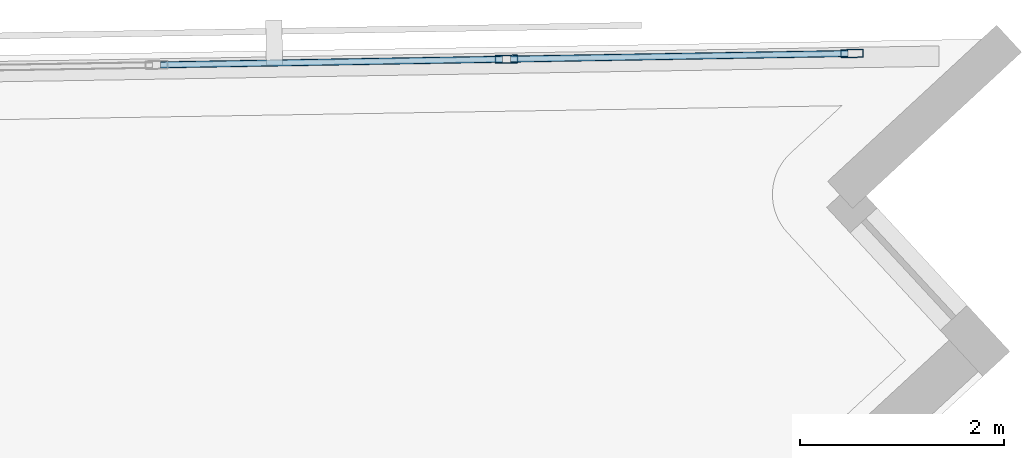
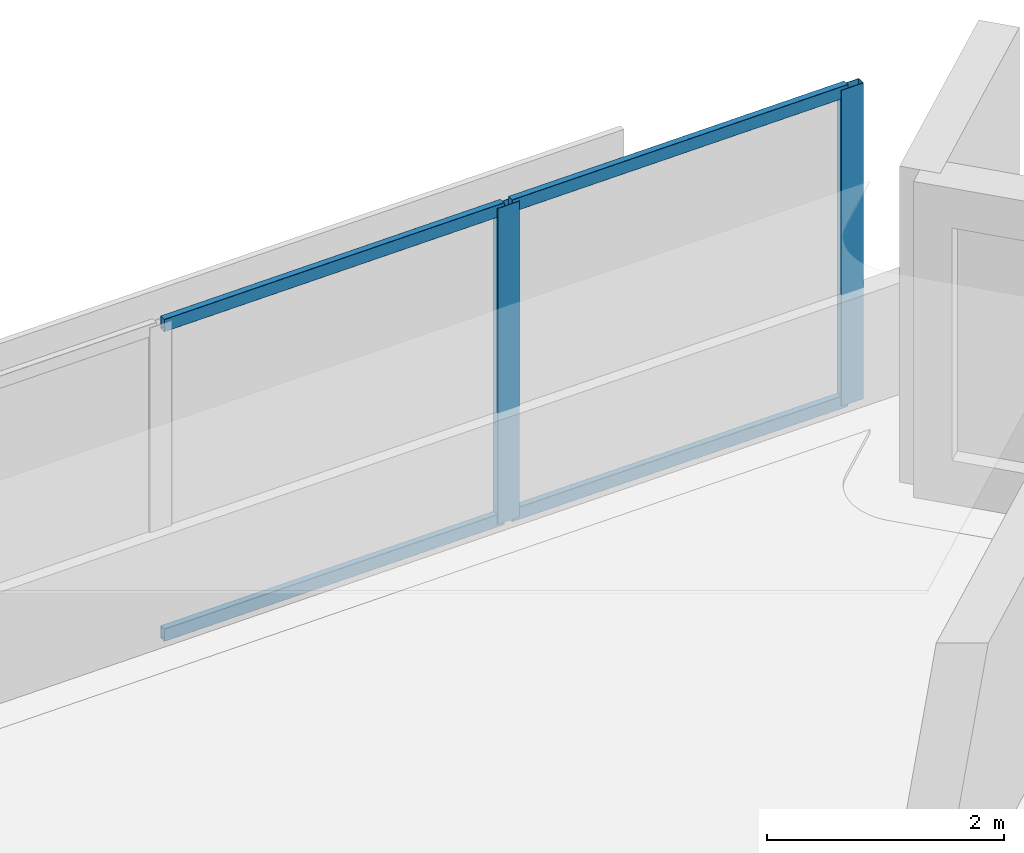
# One storey, part 6 of 12: 6 members, 1 element without a shape of its own.
"""IFC4 building model written with IfcOpenShell, lengths in metres."""

import ifcopenshell
import ifcopenshell.guid

model = None  # the IFC model being written
_history = None  # IfcOwnerHistory: only IFC2X3 demands one
_inside = {}  # id of a spatial element -> (the spatial element, [elements in it])
_under = {}  # id of a project, library or spatial element -> (it, [spatial elements below it])
_declared = {}  # id of a project -> (the project, [libraries it declares])
_typed = {}  # id of a type object -> (the type object, [elements of that type])
_made_of = {}  # id of a material, layer set ... -> (it, [elements and type objects made of it])


def new_model(schema):
    """Start an empty IFC model of exactly this schema.

    Asked for "IFC4X3", IfcOpenShell would pick the latest addendum, in which some entities
    have other attributes; the version numbers below select the first issue.
    IFC2X3 requires an IfcOwnerHistory on every rooted entity: one is made here for all.
    """
    global model, _history
    if schema == "IFC4X3":
        model = ifcopenshell.file(schema_version=(4, 3, 0, 0))
    else:
        model = ifcopenshell.file(schema=schema)
    _inside.clear()
    _under.clear()
    _declared.clear()
    _typed.clear()
    _made_of.clear()
    _history = None
    if model.schema == "IFC2X3":
        org = make("IfcOrganization", Name="unknown")
        user = make(
            "IfcPersonAndOrganization",
            ThePerson=make("IfcPerson", FamilyName="unknown"),
            TheOrganization=org,
        )
        app = make(
            "IfcApplication",
            ApplicationDeveloper=org,
            Version="unknown",
            ApplicationFullName="unknown",
            ApplicationIdentifier="unknown",
        )
        _history = make(
            "IfcOwnerHistory",
            OwningUser=user,
            OwningApplication=app,
            ChangeAction="ADDED",
            CreationDate=0,
        )
    return model


def make(cls, **values):
    """One entity of the class cls with the attributes given. An attribute that is None is left unset."""
    return model.create_entity(
        cls, **{name: value for name, value in values.items() if value is not None}
    )


def rooted(cls, **values):
    """An entity with a GlobalId (a new one), such as an element, a storey or a relation."""
    return make(cls, GlobalId=ifcopenshell.guid.new(), OwnerHistory=_history, **values)


def si_unit(unit_type, name, prefix=None):
    """IfcSIUnit, for example si_unit("LENGTHUNIT", "METRE", prefix="MILLI")."""
    return make("IfcSIUnit", UnitType=unit_type, Prefix=prefix, Name=name)


def assignment(units):
    """IfcUnitAssignment: the units of a project."""
    return None if units is None else make("IfcUnitAssignment", Units=units)


def point(xyz):
    """IfcCartesianPoint."""
    return None if xyz is None else make("IfcCartesianPoint", Coordinates=xyz)


def direction(xyz):
    """IfcDirection."""
    return None if xyz is None else make("IfcDirection", DirectionRatios=xyz)


def frame(location, z_axis=None, x_axis=None):
    """IfcAxis2Placement3D, a coordinate frame: its origin and axes. An axis left out is left unset."""
    return make(
        "IfcAxis2Placement3D",
        Location=point(location),
        Axis=direction(z_axis),
        RefDirection=direction(x_axis),
    )


def frame_2d(location, x_axis=None):
    """IfcAxis2Placement2D, a coordinate frame in the plane: its origin and x axis."""
    return make(
        "IfcAxis2Placement2D", Location=point(location), RefDirection=direction(x_axis)
    )


def origin():
    """The frame at (0, 0, 0) with its axes left unset."""
    return frame((0.0, 0.0, 0.0))


def origin_2d():
    """The frame at (0, 0) in the plane with its x axis left unset."""
    return frame_2d((0.0, 0.0))


def place(relative_to, where):
    """IfcLocalPlacement: puts the frame where relative to a parent placement (None: the world)."""
    return make(
        "IfcLocalPlacement", PlacementRelTo=relative_to, RelativePlacement=where
    )


def context(
    kind, dimensions, precision=None, world=None, true_north=None, identifier=None
):
    """IfcGeometricRepresentationContext, for example the 3D "Model" context."""
    return make(
        "IfcGeometricRepresentationContext",
        ContextIdentifier=identifier,
        ContextType=kind,
        CoordinateSpaceDimension=dimensions,
        Precision=precision,
        WorldCoordinateSystem=world,
        TrueNorth=true_north,
    )


def subcontext(parent, identifier, kind, view, scale=None):
    """IfcGeometricRepresentationSubContext, for example "Body" below "Model"."""
    return make(
        "IfcGeometricRepresentationSubContext",
        ContextIdentifier=identifier,
        ContextType=kind,
        ParentContext=parent,
        TargetScale=scale,
        TargetView=view,
    )


def project(units=None, contexts=None):
    """IfcProject with its units and contexts."""
    return rooted(
        "IfcProject",
        Name="project",
        RepresentationContexts=contexts,
        UnitsInContext=assignment(units),
    )


def spatial(cls, under=None, at=None, **own):
    """A site, building, storey or space (cls), placed at a placement, below another one or the project."""
    s = rooted(cls, ObjectPlacement=at, **own)
    if under is not None:
        _under.setdefault(under.id(), (under, []))[1].append(s)
    return s


def profile(cls, at=None, kind="AREA", **sizes):
    """A parametric profile (cls). Its sizes go by their IFC names, for example OverallWidth=200.0."""
    return make(cls, ProfileType=kind, Position=at, **sizes)


def hollow_rectangle(**sizes):
    """IfcRectangleHollowProfileDef."""
    return profile("IfcRectangleHollowProfileDef", **sizes)


def extrude(swept, where, along, depth):
    """IfcExtrudedAreaSolid: the profile swept, set in the frame where, extruded along a direction by depth."""
    return make(
        "IfcExtrudedAreaSolid",
        SweptArea=swept,
        Position=where,
        ExtrudedDirection=direction(along),
        Depth=depth,
    )


def shape(context_of_items, identifier, shape_type, items):
    """IfcShapeRepresentation: the items that make up one representation, for example the "Body"."""
    return make(
        "IfcShapeRepresentation",
        ContextOfItems=context_of_items,
        RepresentationIdentifier=identifier,
        RepresentationType=shape_type,
        Items=items,
    )


def material(Name=None, Category=None):
    """IfcMaterial."""
    return make("IfcMaterial", Name=Name, Category=Category)


def material_profile(
    of_material, cross_section, Name=None, Category=None, Priority=None
):
    """IfcMaterialProfile: a cross section and its material."""
    return make(
        "IfcMaterialProfile",
        Name=Name,
        Material=of_material,
        Profile=cross_section,
        Priority=Priority,
        Category=Category,
    )


def profile_set(profiles, Name=None, composite=None):
    """IfcMaterialProfileSet."""
    return make(
        "IfcMaterialProfileSet",
        Name=Name,
        MaterialProfiles=profiles,
        CompositeProfile=composite,
    )


def made_of(thing, what):
    """Note that an element or type object is made of a material, layer set ...; save() writes the relation."""
    if what is not None:
        _made_of.setdefault(what.id(), (what, []))[1].append(thing)
    return thing


def type_object(cls, material=None, **own):
    """A type object (cls), such as IfcWallType, which elements share."""
    return made_of(rooted(cls, **own), material)


def element(
    cls,
    number,
    at=None,
    inside=None,
    cuts=None,
    type_object=None,
    material=None,
    context=None,
    identifier="Body",
    shape_type=None,
    held_by="IfcProductDefinitionShape",
    body=None,
    shapes=None,
    **own,
):
    """One element of the class cls, such as IfcWall. Its Tag is "e" and its number.

    at: its placement. inside: the storey or other place that contains it. cuts: it is an
    opening in that element (IfcRelVoidsElement). A single representation is given by context,
    identifier, shape_type and body (its items); several are given by shapes. held_by: the class
    of the entity that holds the representations. save() writes the other relations.
    """
    e = rooted(cls, Tag="e%d" % number, ObjectPlacement=at, **own)
    if body is not None:
        shapes = [shape(context, identifier, shape_type, body)]
    if shapes is not None:
        e.Representation = make(held_by, Representations=shapes)
    if inside is not None:
        _inside.setdefault(inside.id(), (inside, []))[1].append(e)
    if cuts is not None:
        rooted(
            "IfcRelVoidsElement", RelatingBuildingElement=cuts, RelatedOpeningElement=e
        )
    if type_object is not None:
        _typed.setdefault(type_object.id(), (type_object, []))[1].append(e)
    return made_of(e, material)


def aggregate(whole, parts):
    """IfcRelAggregates: a whole, such as a stair, and the parts it consists of."""
    return rooted("IfcRelAggregates", RelatingObject=whole, RelatedObjects=parts)


def save(model, path):
    """Write the relations noted so far, then the file.

    IfcRelAggregates (storeys below a building ...), IfcRelContainedInSpatialStructure (elements
    in a storey), IfcRelDefinesByType, IfcRelAssociatesMaterial and IfcRelDeclares: one each for
    every whole, place, type object, material and project.
    """
    for whole, parts in _under.values():
        aggregate(whole, parts)
    for where, things in _inside.values():
        rooted(
            "IfcRelContainedInSpatialStructure",
            RelatedElements=things,
            RelatingStructure=where,
        )
    for kind, things in _typed.values():
        rooted("IfcRelDefinesByType", RelatedObjects=things, RelatingType=kind)
    for what, things in _made_of.values():
        rooted("IfcRelAssociatesMaterial", RelatedObjects=things, RelatingMaterial=what)
    for by, libraries in _declared.values():
        rooted("IfcRelDeclares", RelatingContext=by, RelatedDefinitions=libraries)
    model.write(path)


model = new_model("IFC4")

# Units and contexts
model_context = context("Model", 3, precision=1e-05, world=origin(), true_north=direction((0.0, 1.0)))
body_context = subcontext(model_context, "Body", "Model", "MODEL_VIEW")
ifc_project = project(units=[si_unit("LENGTHUNIT", "METRE"), si_unit("AREAUNIT", "SQUARE_METRE"), si_unit("VOLUMEUNIT", "CUBIC_METRE"), si_unit("PLANEANGLEUNIT", "RADIAN"), si_unit("MASSUNIT", "GRAM", prefix="KILO")], contexts=[model_context])

# Site, building, storey
site_placement = place(None, origin())
site = spatial("IfcSite", under=ifc_project, at=site_placement, CompositionType="ELEMENT")
building_placement = place(site_placement, origin())
building = spatial("IfcBuilding", under=site, at=building_placement, Name="Narakoshi Arena Tower", CompositionType="ELEMENT")
storey_placement = place(building_placement, frame((0.0, 0.0, 267.780029296875)))
storey = spatial("IfcBuildingStorey", under=building, at=storey_placement, Name="L73", CompositionType="ELEMENT", Elevation=267.780029296875)

# Curtain wall, members
ifc_material = material(Name="Anodised bronze aluminium 6063-T6", Category="aluminium")
curtain_wall_type = type_object("IfcCurtainWallType", Name="CW-HYP-HIGH", PredefinedType="NOTDEFINED", material=ifc_material)
curtain_wall_placement = place(storey_placement, origin())
curtain_wall = element("IfcCurtainWall", 1, at=curtain_wall_placement, inside=storey, type_object=curtain_wall_type, Name="L73 Folded Hypotenuse Curtain Wall 1-1", PredefinedType="NOTDEFINED")
ifc_material_profile_1 = material_profile(ifc_material, hollow_rectangle(XDim=0.080078125, YDim=0.219970703125, WallThickness=0.0048828125, OuterFilletRadius=0.006103515625, at=origin_2d()), Name="MUL220x80x5")
ifc_profile_set_1 = profile_set([ifc_material_profile_1], Name="Anodised bronze aluminium 6063-T6")
member_type_1 = type_object("IfcMemberType", Name="MEM-MUL-220", PredefinedType="MULLION", material=ifc_profile_set_1)
member_1_placement = place(storey_placement, frame((110.4189453125, 64.11767578125, 0.0), z_axis=(0.0, 0.0, 1.0), x_axis=(0.016442997569, -0.999864804777, 0.0)))
member_1 = element("IfcMember", 2, at=member_1_placement, type_object=member_type_1, Name="CW-03 mullion 1", PredefinedType="MULLION", context=body_context, shape_type="SweptSolid", body=[
    extrude(hollow_rectangle(XDim=0.080078125, YDim=0.219970703125, WallThickness=0.0048828125, OuterFilletRadius=0.006103515625, at=origin_2d()), origin(), (0.0, 0.0, 1.0), 3.260009765625),
])
member_2_placement = place(storey_placement, frame((107.031494140625, 64.06201171875, 0.0), z_axis=(0.0, 0.0, 1.0), x_axis=(0.016442997569, -0.999864804777, 0.0)))
member_2 = element("IfcMember", 3, at=member_2_placement, type_object=member_type_1, Name="CW-03 mullion 2", PredefinedType="MULLION", context=body_context, shape_type="SweptSolid", body=[
    extrude(hollow_rectangle(XDim=0.080078125, YDim=0.219970703125, WallThickness=0.0048828125, OuterFilletRadius=0.006103515625, at=origin_2d()), origin(), (0.0, 0.0, 1.0), 3.260009765625),
])
ifc_material_profile_2 = material_profile(ifc_material, hollow_rectangle(XDim=0.06494140625, YDim=0.1298828125, WallThickness=0.00390625, OuterFilletRadius=0.0048828125, at=origin_2d()), Name="TRN130x65x4")
ifc_profile_set_2 = profile_set([ifc_material_profile_2], Name="Anodised bronze aluminium 6063-T6")
member_type_2 = type_object("IfcMemberType", Name="MEM-TRN-130", PredefinedType="USERDEFINED", material=ifc_profile_set_2)
member_3_placement = place(storey_placement, frame((110.37890625, 64.1171875, 0.032470703125), z_axis=(-0.999864541825, -0.016458979318, 0.0), x_axis=(0.016458979318, -0.999864541825, 0.0)))
member_3 = element("IfcMember", 4, at=member_3_placement, type_object=member_type_2, Name="CW-03 transom 1.1", ObjectType="TRANSOM", PredefinedType="USERDEFINED", context=body_context, shape_type="SweptSolid", body=[
    extrude(hollow_rectangle(XDim=0.06494140625, YDim=0.1298828125, WallThickness=0.00390625, OuterFilletRadius=0.0048828125, at=origin_2d()), origin(), (0.0, 0.0, 1.0), 3.307861328125),
])
member_4_placement = place(storey_placement, frame((110.37890625, 64.1171875, 3.2275390625), z_axis=(-0.999864541825, -0.016458979318, 0.0), x_axis=(0.016458979318, -0.999864541825, 0.0)))
member_4 = element("IfcMember", 5, at=member_4_placement, type_object=member_type_2, Name="CW-03 transom 1.2", ObjectType="TRANSOM", PredefinedType="USERDEFINED", context=body_context, shape_type="SweptSolid", body=[
    extrude(hollow_rectangle(XDim=0.06494140625, YDim=0.1298828125, WallThickness=0.00390625, OuterFilletRadius=0.0048828125, at=origin_2d()), origin(), (0.0, 0.0, 1.0), 3.307861328125),
])
member_5_placement = place(storey_placement, frame((106.99169921875, 64.061279296875, 0.032470703125), z_axis=(-0.999865380158, -0.01640797247, 0.0), x_axis=(0.01640797247, -0.999865380158, 0.0)))
member_5 = element("IfcMember", 6, at=member_5_placement, type_object=member_type_2, Name="CW-03 transom 2.1", ObjectType="TRANSOM", PredefinedType="USERDEFINED", context=body_context, shape_type="SweptSolid", body=[
    extrude(hollow_rectangle(XDim=0.06494140625, YDim=0.1298828125, WallThickness=0.00390625, OuterFilletRadius=0.0048828125, at=origin_2d()), origin(), (0.0, 0.0, 1.0), 3.347900390625),
])
member_6_placement = place(storey_placement, frame((106.99169921875, 64.061279296875, 3.2275390625), z_axis=(-0.999865380158, -0.01640797247, 0.0), x_axis=(0.01640797247, -0.999865380158, 0.0)))
member_6 = element("IfcMember", 7, at=member_6_placement, type_object=member_type_2, Name="CW-03 transom 2.2", ObjectType="TRANSOM", PredefinedType="USERDEFINED", context=body_context, shape_type="SweptSolid", body=[
    extrude(hollow_rectangle(XDim=0.06494140625, YDim=0.1298828125, WallThickness=0.00390625, OuterFilletRadius=0.0048828125, at=origin_2d()), origin(), (0.0, 0.0, 1.0), 3.347900390625),
])
aggregate(curtain_wall, [member_1, member_2, member_3, member_4, member_5, member_6])

save(model, "model.ifc")
